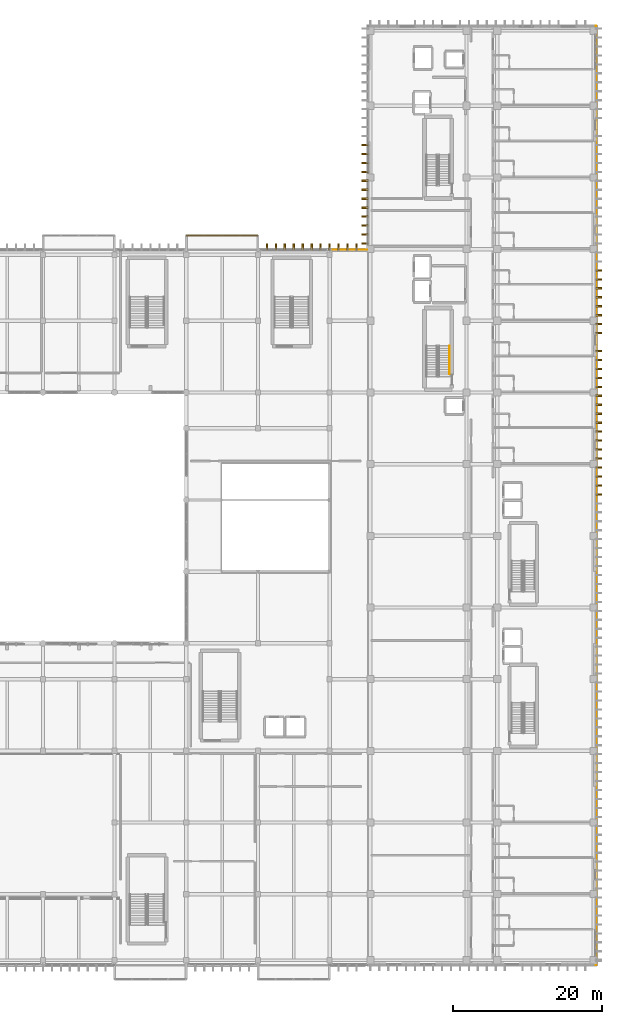
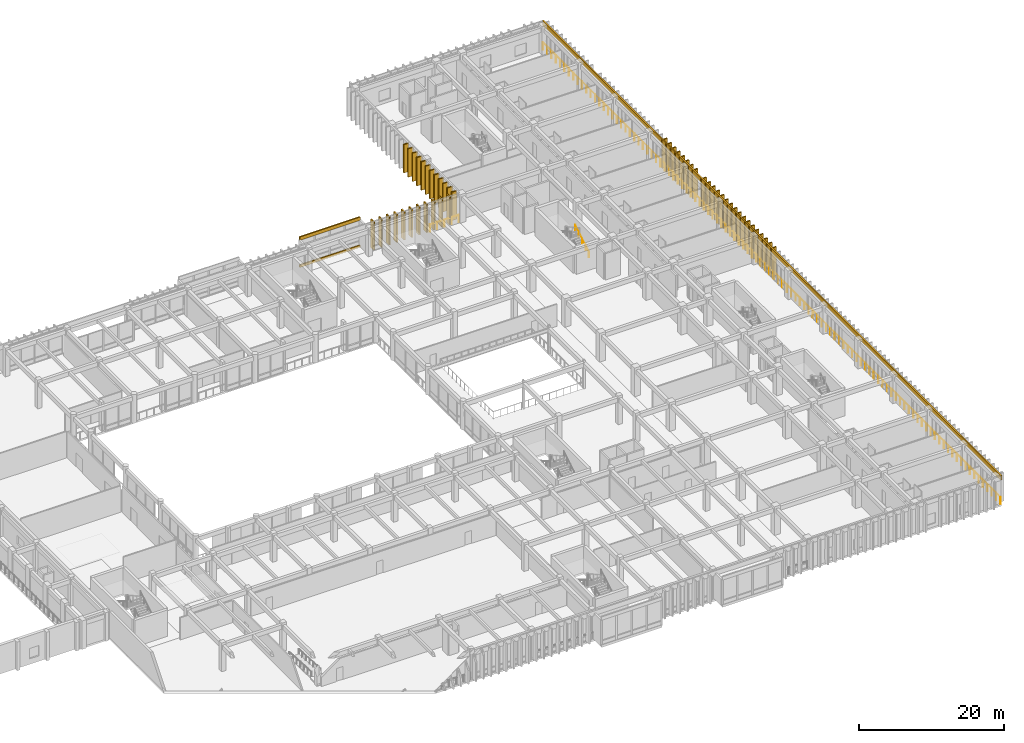
# One storey, part 131 of 133: 51 coverings, 48 shading devices, 3 railings.
"""IFC4 building model written with IfcOpenShell, lengths in metres."""

from ifc_helpers import new_model, si_unit, direction, frame, origin, origin_2d, place, context, subcontext, project, spatial, rectangle, circle, extrude, material, layer, layer_set, type_object, element, save


model = new_model("IFC4")

# Units and contexts
model_context = context("Model", 3, precision=1e-05, world=origin(), true_north=direction((0.0, 1.0)))
body_context = subcontext(model_context, "Body", "Model", "MODEL_VIEW")
ifc_project = project(units=[si_unit("LENGTHUNIT", "METRE"), si_unit("AREAUNIT", "SQUARE_METRE"), si_unit("VOLUMEUNIT", "CUBIC_METRE"), si_unit("PLANEANGLEUNIT", "RADIAN"), si_unit("MASSUNIT", "GRAM", prefix="KILO")], contexts=[model_context])

# Site, building, storey
site_placement = place(None, origin())
site = spatial("IfcSite", under=ifc_project, at=site_placement, CompositionType="ELEMENT")
building_placement = place(site_placement, origin())
building = spatial("IfcBuilding", under=site, at=building_placement, Name="Nakhvara Creek Congress Hotel", CompositionType="ELEMENT")
storey_placement = place(building_placement, frame((0.0, 0.0, 11.39990234375)))
storey = spatial("IfcBuildingStorey", under=building, at=storey_placement, Name="L02", CompositionType="ELEMENT", Elevation=11.39990234375)

# Coverings
ifc_material_1 = material(Name="Honed pale Omani limestone architectural cladding", Category="masonry")
ifc_layer_1 = layer(ifc_material_1, 0.219970703125)
ifc_layer_set_1 = layer_set([ifc_layer_1], Name="Honed pale Omani limestone architectural cladding")
covering_type_1 = type_object("IfcCoveringType", Name="COV-FIN-850", PredefinedType="CLADDING", material=ifc_layer_set_1)
for number, where, z_axis, x_axis, name in (
    (1, (135.60009765625, 96.304931640625, 0.0), (0.0, 0.0, 1.0), (1.0, 0.0, 0.0), "Pale Limestone Fin Cladding CF01-0285"),
    (2, (136.800048828125, 96.304931640625, 0.0), (0.0, 0.0, 1.0), (1.0, 0.0, 0.0), "Pale Limestone Fin Cladding CF01-0286"),
    (3, (138.0, 96.304931640625, 0.0), (0.0, 0.0, 1.0), (1.0, 0.0, 0.0), "Pale Limestone Fin Cladding CF01-0287"),
    (4, (139.199951171875, 96.304931640625, 0.0), (0.0, 0.0, 1.0), (1.0, 0.0, 0.0), "Pale Limestone Fin Cladding CF01-0288"),
    (5, (140.39990234375, 96.304931640625, 0.0), (0.0, 0.0, 1.0), (1.0, 0.0, 0.0), "Pale Limestone Fin Cladding CF01-0289"),
    (6, (141.60009765625, 96.304931640625, 0.0), (0.0, 0.0, 1.0), (1.0, 0.0, 0.0), "Pale Limestone Fin Cladding CF01-0290"),
    (7, (142.800048828125, 96.304931640625, 0.0), (0.0, 0.0, 1.0), (1.0, 0.0, 0.0), "Pale Limestone Fin Cladding CF01-0291"),
    (8, (144.0, 96.304931640625, 0.0), (0.0, 0.0, 1.0), (1.0, 0.0, 0.0), "Pale Limestone Fin Cladding CF01-0292"),
    (9, (145.199951171875, 96.304931640625, 0.0), (0.0, 0.0, 1.0), (1.0, 0.0, 0.0), "Pale Limestone Fin Cladding CF01-0293"),
    (10, (146.39990234375, 96.304931640625, 0.0), (0.0, 0.0, 1.0), (1.0, 0.0, 0.0), "Pale Limestone Fin Cladding CF01-0294"),
    (11, (147.60009765625, 96.304931640625, 0.0), (0.0, 0.0, 1.0), (1.0, 0.0, 0.0), "Pale Limestone Fin Cladding CF01-0295"),
):
    element("IfcCovering", number, at=place(storey_placement, frame(where, z_axis=z_axis, x_axis=x_axis)), inside=storey, type_object=covering_type_1, Name=name, PredefinedType="CLADDING", context=body_context, shape_type="SweptSolid", body=[
        extrude(rectangle(XDim=0.219970703125, YDim=0.85009765625, at=origin_2d()), origin(), (0.0, 0.0, 1.0), 4.719970703125),
    ])
for number, where, z_axis, x_axis, name in (
    (12, (180.054931640625, 63.14990234375, 0.0), (0.0, 0.0, 1.0), (0.0, 1.0, 0.0), "Pale Limestone Fin Cladding CF01-0905"),
    (13, (180.054931640625, 64.35009765625, 0.0), (0.0, 0.0, 1.0), (0.0, 1.0, 0.0), "Pale Limestone Fin Cladding CF01-0906"),
    (14, (180.054931640625, 65.550048828125, 0.0), (0.0, 0.0, 1.0), (0.0, 1.0, 0.0), "Pale Limestone Fin Cladding CF01-0907"),
    (15, (180.054931640625, 66.75, 0.0), (0.0, 0.0, 1.0), (0.0, 1.0, 0.0), "Pale Limestone Fin Cladding CF01-0908"),
    (16, (180.054931640625, 67.949951171875, 0.0), (0.0, 0.0, 1.0), (0.0, 1.0, 0.0), "Pale Limestone Fin Cladding CF01-0909"),
    (17, (180.054931640625, 69.14990234375, 0.0), (0.0, 0.0, 1.0), (0.0, 1.0, 0.0), "Pale Limestone Fin Cladding CF01-0910"),
    (18, (180.054931640625, 70.35009765625, 0.0), (0.0, 0.0, 1.0), (0.0, 1.0, 0.0), "Pale Limestone Fin Cladding CF01-0911"),
    (19, (180.054931640625, 71.550048828125, 0.0), (0.0, 0.0, 1.0), (0.0, 1.0, 0.0), "Pale Limestone Fin Cladding CF01-0912"),
    (20, (180.054931640625, 72.75, 0.0), (0.0, 0.0, 1.0), (0.0, 1.0, 0.0), "Pale Limestone Fin Cladding CF01-0913"),
    (21, (180.054931640625, 73.949951171875, 0.0), (0.0, 0.0, 1.0), (0.0, 1.0, 0.0), "Pale Limestone Fin Cladding CF01-0914"),
    (22, (180.054931640625, 75.14990234375, 0.0), (0.0, 0.0, 1.0), (0.0, 1.0, 0.0), "Pale Limestone Fin Cladding CF01-0915"),
    (23, (180.054931640625, 76.35009765625, 0.0), (0.0, 0.0, 1.0), (0.0, 1.0, 0.0), "Pale Limestone Fin Cladding CF01-0916"),
    (24, (180.054931640625, 77.550048828125, 0.0), (0.0, 0.0, 1.0), (0.0, 1.0, 0.0), "Pale Limestone Fin Cladding CF01-0917"),
    (25, (180.054931640625, 78.75, 0.0), (0.0, 0.0, 1.0), (0.0, 1.0, 0.0), "Pale Limestone Fin Cladding CF01-0918"),
    (26, (180.054931640625, 79.949951171875, 0.0), (0.0, 0.0, 1.0), (0.0, 1.0, 0.0), "Pale Limestone Fin Cladding CF01-0919"),
    (27, (180.054931640625, 81.14990234375, 0.0), (0.0, 0.0, 1.0), (0.0, 1.0, 0.0), "Pale Limestone Fin Cladding CF01-0920"),
    (28, (180.054931640625, 82.35009765625, 0.0), (0.0, 0.0, 1.0), (0.0, 1.0, 0.0), "Pale Limestone Fin Cladding CF01-0921"),
    (29, (180.054931640625, 84.75, 0.0), (0.0, 0.0, 1.0), (0.0, 1.0, 0.0), "Pale Limestone Fin Cladding CF01-0922"),
    (30, (180.054931640625, 85.949951171875, 0.0), (0.0, 0.0, 1.0), (0.0, 1.0, 0.0), "Pale Limestone Fin Cladding CF01-0923"),
    (31, (180.054931640625, 87.14990234375, 0.0), (0.0, 0.0, 1.0), (0.0, 1.0, 0.0), "Pale Limestone Fin Cladding CF01-0924"),
    (32, (180.054931640625, 88.35009765625, 0.0), (0.0, 0.0, 1.0), (0.0, 1.0, 0.0), "Pale Limestone Fin Cladding CF01-0925"),
    (33, (180.054931640625, 89.550048828125, 0.0), (0.0, 0.0, 1.0), (0.0, 1.0, 0.0), "Pale Limestone Fin Cladding CF01-0926"),
    (34, (180.054931640625, 90.75, 0.0), (0.0, 0.0, 1.0), (0.0, 1.0, 0.0), "Pale Limestone Fin Cladding CF01-0927"),
    (35, (180.054931640625, 91.949951171875, 0.0), (0.0, 0.0, 1.0), (0.0, 1.0, 0.0), "Pale Limestone Fin Cladding CF01-0928"),
    (36, (180.054931640625, 93.14990234375, 0.0), (0.0, 0.0, 1.0), (0.0, 1.0, 0.0), "Pale Limestone Fin Cladding CF01-0929"),
    (37, (148.7451171875, 96.75, 0.0), (0.0, 0.0, 1.0), (0.0, 1.0, 0.0), "Pale Limestone Fin Cladding CF01-0933"),
    (38, (148.7451171875, 97.949951171875, 0.0), (0.0, 0.0, 1.0), (0.0, 1.0, 0.0), "Pale Limestone Fin Cladding CF01-0935"),
    (39, (148.7451171875, 99.14990234375, 0.0), (0.0, 0.0, 1.0), (0.0, 1.0, 0.0), "Pale Limestone Fin Cladding CF01-0937"),
    (40, (148.7451171875, 100.35009765625, 0.0), (0.0, 0.0, 1.0), (0.0, 1.0, 0.0), "Pale Limestone Fin Cladding CF01-0939"),
    (41, (148.7451171875, 101.550048828125, 0.0), (0.0, 0.0, 1.0), (0.0, 1.0, 0.0), "Pale Limestone Fin Cladding CF01-0941"),
    (42, (148.7451171875, 102.75, 0.0), (0.0, 0.0, 1.0), (0.0, 1.0, 0.0), "Pale Limestone Fin Cladding CF01-0943"),
    (43, (148.7451171875, 103.949951171875, 0.0), (0.0, 0.0, 1.0), (0.0, 1.0, 0.0), "Pale Limestone Fin Cladding CF01-0945"),
    (44, (148.7451171875, 105.14990234375, 0.0), (0.0, 0.0, 1.0), (0.0, 1.0, 0.0), "Pale Limestone Fin Cladding CF01-0947"),
    (45, (148.7451171875, 106.35009765625, 0.0), (0.0, 0.0, 1.0), (0.0, 1.0, 0.0), "Pale Limestone Fin Cladding CF01-0949"),
    (46, (148.7451171875, 107.550048828125, 0.0), (0.0, 0.0, 1.0), (0.0, 1.0, 0.0), "Pale Limestone Fin Cladding CF01-0951"),
    (47, (148.7451171875, 108.75, 0.0), (0.0, 0.0, 1.0), (0.0, 1.0, 0.0), "Pale Limestone Fin Cladding CF01-0953"),
    (48, (148.7451171875, 109.949951171875, 0.0), (0.0, 0.0, 1.0), (0.0, 1.0, 0.0), "Pale Limestone Fin Cladding CF01-0955"),
):
    element("IfcCovering", number, at=place(storey_placement, frame(where, z_axis=z_axis, x_axis=x_axis)), inside=storey, type_object=covering_type_1, Name=name, PredefinedType="CLADDING", context=body_context, shape_type="SweptSolid", body=[
        extrude(rectangle(XDim=0.219970703125, YDim=0.85009765625, at=origin_2d()), origin(), (0.0, 0.0, 1.0), 4.760009765625),
    ])
ifc_layer_2 = layer(ifc_material_1, 0.179931640625)
ifc_layer_set_2 = layer_set([ifc_layer_2], Name="Honed pale Omani limestone architectural cladding")
covering_type_2 = type_object("IfcCoveringType", Name="COV-SPN-180", PredefinedType="CLADDING", material=ifc_layer_set_2)
covering_1_placement = place(storey_placement, frame((129.60009765625, 97.800048828125, -0.259765625), z_axis=(0.0, 0.0, 1.0), x_axis=(1.0, 0.0, 0.0)))
element("IfcCovering", 49, at=covering_1_placement, inside=storey, type_object=covering_type_2, Name="Pale Limestone Spandrel Band CF02-0024", PredefinedType="CLADDING", context=body_context, shape_type="SweptSolid", body=[
    extrude(rectangle(XDim=9.60009765625, YDim=0.199951171875, at=origin_2d()), origin(), (0.0, 0.0, 1.0), 0.419921875),
])
covering_2_placement = place(storey_placement, frame((129.60009765625, 97.800048828125, 4.300048828125), z_axis=(0.0, 0.0, 1.0), x_axis=(1.0, 0.0, 0.0)))
element("IfcCovering", 50, at=covering_2_placement, inside=storey, type_object=covering_type_2, Name="Pale Limestone Spandrel Band CF02-0025", PredefinedType="CLADDING", context=body_context, shape_type="SweptSolid", body=[
    extrude(rectangle(XDim=9.60009765625, YDim=0.199951171875, at=origin_2d()), origin(), (0.0, 0.0, 1.0), 0.56005859375),
])
covering_3_placement = place(storey_placement, frame((179.739990234375, 63.0, 4.110107421875), z_axis=(0.0, 0.0, 1.0), x_axis=(0.0, 1.0, 0.0)))
element("IfcCovering", 51, at=covering_3_placement, inside=storey, type_object=covering_type_2, Name="Pale Limestone Spandrel Band CF02-0049", PredefinedType="CLADDING", context=body_context, shape_type="SweptSolid", body=[
    extrude(rectangle(XDim=126.0, YDim=0.219970703125, at=origin_2d()), origin(), (0.0, 0.0, 1.0), 0.72998046875),
])

# Railings
ifc_material_2 = material(Name="Brushed stainless steel 316L", Category="steel")
railing_type_1 = type_object("IfcRailingType", Name="RL-GUARD-1200", PredefinedType="GUARDRAIL", material=ifc_material_2)
railing_1_placement = place(storey_placement, frame((144.449951171875, 95.919921875, 0.0)))
element("IfcRailing", 52, at=railing_1_placement, inside=storey, type_object=railing_type_1, Name="North Conference Edge Guard L02-144", PredefinedType="GUARDRAIL", context=body_context, shape_type="SweptSolid", body=[
    extrude(circle(Radius=0.02392578125, at=origin_2d()), frame((0.0146484375, 0.0, 1.17578125), z_axis=(1.0, 0.0, 0.0), x_axis=(0.0, 1.0, 0.0)), (0.0, 0.0, 1.0), 4.5107421875),
    extrude(circle(Radius=0.02099609375, at=origin_2d()), origin(), (0.0, 0.0, 1.0), 1.1806640625),
    extrude(circle(Radius=0.02099609375, at=origin_2d()), frame((1.135009765625, 0.0, 0.0)), (0.0, 0.0, 1.0), 1.1806640625),
    extrude(circle(Radius=0.02099609375, at=origin_2d()), frame((2.27001953125, 0.0, 0.0)), (0.0, 0.0, 1.0), 1.1806640625),
    extrude(circle(Radius=0.02099609375, at=origin_2d()), frame((3.405029296875, 0.0, 0.0)), (0.0, 0.0, 1.0), 1.1806640625),
    extrude(circle(Radius=0.02099609375, at=origin_2d()), frame((4.5400390625, 0.0, 0.0)), (0.0, 0.0, 1.0), 1.1806640625),
])
railing_2_placement = place(storey_placement, frame((179.669921875, 0.080078125, 0.0)))
element("IfcRailing", 53, at=railing_2_placement, inside=storey, type_object=railing_type_1, Name="Perimeter Safety Rail East L02", PredefinedType="GUARDRAIL", context=body_context, shape_type="SweptSolid", body=[
    extrude(circle(Radius=0.02392578125, at=origin_2d()), frame((0.0, 0.0146484375, 1.17578125), z_axis=(0.0, 1.0, 0.0), x_axis=(-1.0, 0.0, 0.0)), (0.0, 0.0, 1.0), 125.810546875),
    extrude(circle(Radius=0.02099609375, at=origin_2d()), origin(), (0.0, 0.0, 1.0), 1.1806640625),
    extrude(circle(Radius=0.02099609375, at=origin_2d()), frame((0.0, 1.198486328125, 0.0)), (0.0, 0.0, 1.0), 1.1806640625),
    extrude(circle(Radius=0.02099609375, at=origin_2d()), frame((0.0, 2.39697265625, 0.0)), (0.0, 0.0, 1.0), 1.1806640625),
    extrude(circle(Radius=0.02099609375, at=origin_2d()), frame((0.0, 3.595458984375, 0.0)), (0.0, 0.0, 1.0), 1.1806640625),
    extrude(circle(Radius=0.02099609375, at=origin_2d()), frame((0.0, 4.7939453125, 0.0)), (0.0, 0.0, 1.0), 1.1806640625),
    extrude(circle(Radius=0.02099609375, at=origin_2d()), frame((0.0, 5.992431640625, 0.0)), (0.0, 0.0, 1.0), 1.1806640625),
    extrude(circle(Radius=0.02099609375, at=origin_2d()), frame((0.0, 7.19091796875, 0.0)), (0.0, 0.0, 1.0), 1.1806640625),
    extrude(circle(Radius=0.02099609375, at=origin_2d()), frame((0.0, 8.389404296875, 0.0)), (0.0, 0.0, 1.0), 1.1806640625),
    extrude(circle(Radius=0.02099609375, at=origin_2d()), frame((0.0, 9.587890625, 0.0)), (0.0, 0.0, 1.0), 1.1806640625),
    extrude(circle(Radius=0.02099609375, at=origin_2d()), frame((0.0, 10.786376953125, 0.0)), (0.0, 0.0, 1.0), 1.1806640625),
    extrude(circle(Radius=0.02099609375, at=origin_2d()), frame((0.0, 11.98486328125, 0.0)), (0.0, 0.0, 1.0), 1.1806640625),
    extrude(circle(Radius=0.02099609375, at=origin_2d()), frame((0.0, 13.18310546875, 0.0)), (0.0, 0.0, 1.0), 1.1806640625),
    extrude(circle(Radius=0.02099609375, at=origin_2d()), frame((0.0, 14.381591796875, 0.0)), (0.0, 0.0, 1.0), 1.1806640625),
    extrude(circle(Radius=0.02099609375, at=origin_2d()), frame((0.0, 15.580078125, 0.0)), (0.0, 0.0, 1.0), 1.1806640625),
    extrude(circle(Radius=0.02099609375, at=origin_2d()), frame((0.0, 16.778564453125, 0.0)), (0.0, 0.0, 1.0), 1.1806640625),
    extrude(circle(Radius=0.02099609375, at=origin_2d()), frame((0.0, 17.97705078125, 0.0)), (0.0, 0.0, 1.0), 1.1806640625),
    extrude(circle(Radius=0.02099609375, at=origin_2d()), frame((0.0, 19.175537109375, 0.0)), (0.0, 0.0, 1.0), 1.1806640625),
    extrude(circle(Radius=0.02099609375, at=origin_2d()), frame((0.0, 20.3740234375, 0.0)), (0.0, 0.0, 1.0), 1.1806640625),
    extrude(circle(Radius=0.02099609375, at=origin_2d()), frame((0.0, 21.572509765625, 0.0)), (0.0, 0.0, 1.0), 1.1806640625),
    extrude(circle(Radius=0.02099609375, at=origin_2d()), frame((0.0, 22.77099609375, 0.0)), (0.0, 0.0, 1.0), 1.1806640625),
    extrude(circle(Radius=0.02099609375, at=origin_2d()), frame((0.0, 23.969482421875, 0.0)), (0.0, 0.0, 1.0), 1.1806640625),
    extrude(circle(Radius=0.02099609375, at=origin_2d()), frame((0.0, 25.16796875, 0.0)), (0.0, 0.0, 1.0), 1.1806640625),
    extrude(circle(Radius=0.02099609375, at=origin_2d()), frame((0.0, 26.366455078125, 0.0)), (0.0, 0.0, 1.0), 1.1806640625),
    extrude(circle(Radius=0.02099609375, at=origin_2d()), frame((0.0, 27.56494140625, 0.0)), (0.0, 0.0, 1.0), 1.1806640625),
    extrude(circle(Radius=0.02099609375, at=origin_2d()), frame((0.0, 28.763427734375, 0.0)), (0.0, 0.0, 1.0), 1.1806640625),
    extrude(circle(Radius=0.02099609375, at=origin_2d()), frame((0.0, 29.9619140625, 0.0)), (0.0, 0.0, 1.0), 1.1806640625),
    extrude(circle(Radius=0.02099609375, at=origin_2d()), frame((0.0, 31.160400390625, 0.0)), (0.0, 0.0, 1.0), 1.1806640625),
    extrude(circle(Radius=0.02099609375, at=origin_2d()), frame((0.0, 32.35888671875, 0.0)), (0.0, 0.0, 1.0), 1.1806640625),
    extrude(circle(Radius=0.02099609375, at=origin_2d()), frame((0.0, 33.557373046875, 0.0)), (0.0, 0.0, 1.0), 1.1806640625),
    extrude(circle(Radius=0.02099609375, at=origin_2d()), frame((0.0, 34.755859375, 0.0)), (0.0, 0.0, 1.0), 1.1806640625),
    extrude(circle(Radius=0.02099609375, at=origin_2d()), frame((0.0, 35.954345703125, 0.0)), (0.0, 0.0, 1.0), 1.1806640625),
    extrude(circle(Radius=0.02099609375, at=origin_2d()), frame((0.0, 37.15283203125, 0.0)), (0.0, 0.0, 1.0), 1.1806640625),
    extrude(circle(Radius=0.02099609375, at=origin_2d()), frame((0.0, 38.35107421875, 0.0)), (0.0, 0.0, 1.0), 1.1806640625),
    extrude(circle(Radius=0.02099609375, at=origin_2d()), frame((0.0, 39.549560546875, 0.0)), (0.0, 0.0, 1.0), 1.1806640625),
    extrude(circle(Radius=0.02099609375, at=origin_2d()), frame((0.0, 40.748046875, 0.0)), (0.0, 0.0, 1.0), 1.1806640625),
    extrude(circle(Radius=0.02099609375, at=origin_2d()), frame((0.0, 41.946533203125, 0.0)), (0.0, 0.0, 1.0), 1.1806640625),
    extrude(circle(Radius=0.02099609375, at=origin_2d()), frame((0.0, 43.14501953125, 0.0)), (0.0, 0.0, 1.0), 1.1806640625),
    extrude(circle(Radius=0.02099609375, at=origin_2d()), frame((0.0, 44.343505859375, 0.0)), (0.0, 0.0, 1.0), 1.1806640625),
    extrude(circle(Radius=0.02099609375, at=origin_2d()), frame((0.0, 45.5419921875, 0.0)), (0.0, 0.0, 1.0), 1.1806640625),
    extrude(circle(Radius=0.02099609375, at=origin_2d()), frame((0.0, 46.740478515625, 0.0)), (0.0, 0.0, 1.0), 1.1806640625),
    extrude(circle(Radius=0.02099609375, at=origin_2d()), frame((0.0, 47.93896484375, 0.0)), (0.0, 0.0, 1.0), 1.1806640625),
    extrude(circle(Radius=0.02099609375, at=origin_2d()), frame((0.0, 49.137451171875, 0.0)), (0.0, 0.0, 1.0), 1.1806640625),
    extrude(circle(Radius=0.02099609375, at=origin_2d()), frame((0.0, 50.3359375, 0.0)), (0.0, 0.0, 1.0), 1.1806640625),
    extrude(circle(Radius=0.02099609375, at=origin_2d()), frame((0.0, 51.534423828125, 0.0)), (0.0, 0.0, 1.0), 1.1806640625),
    extrude(circle(Radius=0.02099609375, at=origin_2d()), frame((0.0, 52.73291015625, 0.0)), (0.0, 0.0, 1.0), 1.1806640625),
    extrude(circle(Radius=0.02099609375, at=origin_2d()), frame((0.0, 53.931396484375, 0.0)), (0.0, 0.0, 1.0), 1.1806640625),
    extrude(circle(Radius=0.02099609375, at=origin_2d()), frame((0.0, 55.1298828125, 0.0)), (0.0, 0.0, 1.0), 1.1806640625),
    extrude(circle(Radius=0.02099609375, at=origin_2d()), frame((0.0, 56.328369140625, 0.0)), (0.0, 0.0, 1.0), 1.1806640625),
    extrude(circle(Radius=0.02099609375, at=origin_2d()), frame((0.0, 57.52685546875, 0.0)), (0.0, 0.0, 1.0), 1.1806640625),
    extrude(circle(Radius=0.02099609375, at=origin_2d()), frame((0.0, 58.725341796875, 0.0)), (0.0, 0.0, 1.0), 1.1806640625),
    extrude(circle(Radius=0.02099609375, at=origin_2d()), frame((0.0, 59.923828125, 0.0)), (0.0, 0.0, 1.0), 1.1806640625),
    extrude(circle(Radius=0.02099609375, at=origin_2d()), frame((0.0, 61.122314453125, 0.0)), (0.0, 0.0, 1.0), 1.1806640625),
    extrude(circle(Radius=0.02099609375, at=origin_2d()), frame((0.0, 62.32080078125, 0.0)), (0.0, 0.0, 1.0), 1.1806640625),
    extrude(circle(Radius=0.02099609375, at=origin_2d()), frame((0.0, 63.51904296875, 0.0)), (0.0, 0.0, 1.0), 1.1806640625),
    extrude(circle(Radius=0.02099609375, at=origin_2d()), frame((0.0, 64.717529296875, 0.0)), (0.0, 0.0, 1.0), 1.1806640625),
    extrude(circle(Radius=0.02099609375, at=origin_2d()), frame((0.0, 65.916015625, 0.0)), (0.0, 0.0, 1.0), 1.1806640625),
    extrude(circle(Radius=0.02099609375, at=origin_2d()), frame((0.0, 67.114501953125, 0.0)), (0.0, 0.0, 1.0), 1.1806640625),
    extrude(circle(Radius=0.02099609375, at=origin_2d()), frame((0.0, 68.31298828125, 0.0)), (0.0, 0.0, 1.0), 1.1806640625),
    extrude(circle(Radius=0.02099609375, at=origin_2d()), frame((0.0, 69.511474609375, 0.0)), (0.0, 0.0, 1.0), 1.1806640625),
    extrude(circle(Radius=0.02099609375, at=origin_2d()), frame((0.0, 70.7099609375, 0.0)), (0.0, 0.0, 1.0), 1.1806640625),
    extrude(circle(Radius=0.02099609375, at=origin_2d()), frame((0.0, 71.908447265625, 0.0)), (0.0, 0.0, 1.0), 1.1806640625),
    extrude(circle(Radius=0.02099609375, at=origin_2d()), frame((0.0, 73.10693359375, 0.0)), (0.0, 0.0, 1.0), 1.1806640625),
    extrude(circle(Radius=0.02099609375, at=origin_2d()), frame((0.0, 74.305419921875, 0.0)), (0.0, 0.0, 1.0), 1.1806640625),
    extrude(circle(Radius=0.02099609375, at=origin_2d()), frame((0.0, 75.50390625, 0.0)), (0.0, 0.0, 1.0), 1.1806640625),
    extrude(circle(Radius=0.02099609375, at=origin_2d()), frame((0.0, 76.702392578125, 0.0)), (0.0, 0.0, 1.0), 1.1806640625),
    extrude(circle(Radius=0.02099609375, at=origin_2d()), frame((0.0, 77.90087890625, 0.0)), (0.0, 0.0, 1.0), 1.1806640625),
    extrude(circle(Radius=0.02099609375, at=origin_2d()), frame((0.0, 79.099365234375, 0.0)), (0.0, 0.0, 1.0), 1.1806640625),
    extrude(circle(Radius=0.02099609375, at=origin_2d()), frame((0.0, 80.2978515625, 0.0)), (0.0, 0.0, 1.0), 1.1806640625),
    extrude(circle(Radius=0.02099609375, at=origin_2d()), frame((0.0, 81.496337890625, 0.0)), (0.0, 0.0, 1.0), 1.1806640625),
    extrude(circle(Radius=0.02099609375, at=origin_2d()), frame((0.0, 82.69482421875, 0.0)), (0.0, 0.0, 1.0), 1.1806640625),
    extrude(circle(Radius=0.02099609375, at=origin_2d()), frame((0.0, 83.893310546875, 0.0)), (0.0, 0.0, 1.0), 1.1806640625),
    extrude(circle(Radius=0.02099609375, at=origin_2d()), frame((0.0, 85.091796875, 0.0)), (0.0, 0.0, 1.0), 1.1806640625),
    extrude(circle(Radius=0.02099609375, at=origin_2d()), frame((0.0, 86.290283203125, 0.0)), (0.0, 0.0, 1.0), 1.1806640625),
    extrude(circle(Radius=0.02099609375, at=origin_2d()), frame((0.0, 87.48876953125, 0.0)), (0.0, 0.0, 1.0), 1.1806640625),
    extrude(circle(Radius=0.02099609375, at=origin_2d()), frame((0.0, 88.68701171875, 0.0)), (0.0, 0.0, 1.0), 1.1806640625),
    extrude(circle(Radius=0.02099609375, at=origin_2d()), frame((0.0, 89.885498046875, 0.0)), (0.0, 0.0, 1.0), 1.1806640625),
    extrude(circle(Radius=0.02099609375, at=origin_2d()), frame((0.0, 91.083984375, 0.0)), (0.0, 0.0, 1.0), 1.1806640625),
    extrude(circle(Radius=0.02099609375, at=origin_2d()), frame((0.0, 92.282470703125, 0.0)), (0.0, 0.0, 1.0), 1.1806640625),
    extrude(circle(Radius=0.02099609375, at=origin_2d()), frame((0.0, 93.48095703125, 0.0)), (0.0, 0.0, 1.0), 1.1806640625),
    extrude(circle(Radius=0.02099609375, at=origin_2d()), frame((0.0, 94.679443359375, 0.0)), (0.0, 0.0, 1.0), 1.1806640625),
    extrude(circle(Radius=0.02099609375, at=origin_2d()), frame((0.0, 95.8779296875, 0.0)), (0.0, 0.0, 1.0), 1.1806640625),
    extrude(circle(Radius=0.02099609375, at=origin_2d()), frame((0.0, 97.076416015625, 0.0)), (0.0, 0.0, 1.0), 1.1806640625),
    extrude(circle(Radius=0.02099609375, at=origin_2d()), frame((0.0, 98.27490234375, 0.0)), (0.0, 0.0, 1.0), 1.1806640625),
    extrude(circle(Radius=0.02099609375, at=origin_2d()), frame((0.0, 99.473388671875, 0.0)), (0.0, 0.0, 1.0), 1.1806640625),
    extrude(circle(Radius=0.02099609375, at=origin_2d()), frame((0.0, 100.671875, 0.0)), (0.0, 0.0, 1.0), 1.1806640625),
    extrude(circle(Radius=0.02099609375, at=origin_2d()), frame((0.0, 101.870361328125, 0.0)), (0.0, 0.0, 1.0), 1.1806640625),
    extrude(circle(Radius=0.02099609375, at=origin_2d()), frame((0.0, 103.06884765625, 0.0)), (0.0, 0.0, 1.0), 1.1806640625),
    extrude(circle(Radius=0.02099609375, at=origin_2d()), frame((0.0, 104.267333984375, 0.0)), (0.0, 0.0, 1.0), 1.1806640625),
    extrude(circle(Radius=0.02099609375, at=origin_2d()), frame((0.0, 105.4658203125, 0.0)), (0.0, 0.0, 1.0), 1.1806640625),
    extrude(circle(Radius=0.02099609375, at=origin_2d()), frame((0.0, 106.664306640625, 0.0)), (0.0, 0.0, 1.0), 1.1806640625),
    extrude(circle(Radius=0.02099609375, at=origin_2d()), frame((0.0, 107.86279296875, 0.0)), (0.0, 0.0, 1.0), 1.1806640625),
    extrude(circle(Radius=0.02099609375, at=origin_2d()), frame((0.0, 109.061279296875, 0.0)), (0.0, 0.0, 1.0), 1.1806640625),
    extrude(circle(Radius=0.02099609375, at=origin_2d()), frame((0.0, 110.259765625, 0.0)), (0.0, 0.0, 1.0), 1.1806640625),
    extrude(circle(Radius=0.02099609375, at=origin_2d()), frame((0.0, 111.458251953125, 0.0)), (0.0, 0.0, 1.0), 1.1806640625),
    extrude(circle(Radius=0.02099609375, at=origin_2d()), frame((0.0, 112.65673828125, 0.0)), (0.0, 0.0, 1.0), 1.1806640625),
    extrude(circle(Radius=0.02099609375, at=origin_2d()), frame((0.0, 113.85498046875, 0.0)), (0.0, 0.0, 1.0), 1.1806640625),
    extrude(circle(Radius=0.02099609375, at=origin_2d()), frame((0.0, 115.053466796875, 0.0)), (0.0, 0.0, 1.0), 1.1806640625),
    extrude(circle(Radius=0.02099609375, at=origin_2d()), frame((0.0, 116.251953125, 0.0)), (0.0, 0.0, 1.0), 1.1806640625),
    extrude(circle(Radius=0.02099609375, at=origin_2d()), frame((0.0, 117.450439453125, 0.0)), (0.0, 0.0, 1.0), 1.1806640625),
    extrude(circle(Radius=0.02099609375, at=origin_2d()), frame((0.0, 118.64892578125, 0.0)), (0.0, 0.0, 1.0), 1.1806640625),
    extrude(circle(Radius=0.02099609375, at=origin_2d()), frame((0.0, 119.847412109375, 0.0)), (0.0, 0.0, 1.0), 1.1806640625),
    extrude(circle(Radius=0.02099609375, at=origin_2d()), frame((0.0, 121.0458984375, 0.0)), (0.0, 0.0, 1.0), 1.1806640625),
    extrude(circle(Radius=0.02099609375, at=origin_2d()), frame((0.0, 122.244384765625, 0.0)), (0.0, 0.0, 1.0), 1.1806640625),
    extrude(circle(Radius=0.02099609375, at=origin_2d()), frame((0.0, 123.44287109375, 0.0)), (0.0, 0.0, 1.0), 1.1806640625),
    extrude(circle(Radius=0.02099609375, at=origin_2d()), frame((0.0, 124.641357421875, 0.0)), (0.0, 0.0, 1.0), 1.1806640625),
    extrude(circle(Radius=0.02099609375, at=origin_2d()), frame((0.0, 125.83984375, 0.0)), (0.0, 0.0, 1.0), 1.1806640625),
])
railing_type_2 = type_object("IfcRailingType", Name="RL-HAND-900", PredefinedType="HANDRAIL", material=ifc_material_2)
railing_3_placement = place(storey_placement, frame((160.074951171875, 79.2548828125, 0.343017578125)))
element("IfcRailing", 54, at=railing_3_placement, inside=storey, type_object=railing_type_2, Name="L02 ST01 stair handrail 1", PredefinedType="HANDRAIL", context=body_context, shape_type="SweptSolid", body=[
    extrude(circle(Radius=0.02392578125, at=origin_2d()), frame((0.0, 0.0126953125, 0.88330078125), z_axis=(0.0, 0.860342978037, 0.509715567883), x_axis=(-1.0, 0.0, 0.0)), (0.0, 0.0, 1.0), 4.3642578125),
    extrude(circle(Radius=0.02099609375, at=origin_2d()), origin(), (0.0, 0.0, 1.0), 0.880615234375),
    extrude(circle(Radius=0.02099609375, at=origin_2d()), frame((0.0, 0.945068359375, 0.559814453125)), (0.0, 0.0, 1.0), 0.880615234375),
    extrude(circle(Radius=0.02099609375, at=origin_2d()), frame((0.0, 1.89013671875, 1.11962890625)), (0.0, 0.0, 1.0), 0.880615234375),
    extrude(circle(Radius=0.02099609375, at=origin_2d()), frame((0.0, 2.8349609375, 1.6796875)), (0.0, 0.0, 1.0), 0.880615234375),
    extrude(circle(Radius=0.02099609375, at=origin_2d()), frame((0.0, 3.780029296875, 2.239501953125)), (0.0, 0.0, 1.0), 0.880615234375),
])

# Shading devices
ifc_material_3 = material(Name="Honed pale Omani limestone cladding on stainless steel spine", Category="masonry")
shading_device_type = type_object("IfcShadingDeviceType", Name="SHD-FIN-850X4700", PredefinedType="USERDEFINED", material=ifc_material_3)
for number, where, z_axis, x_axis, name in (
    (55, (135.60009765625, 96.304931640625, 0.0), (0.0, 0.0, 1.0), (1.0, 0.0, 0.0), "Limestone Solar Fin FN02-0285"),
    (56, (136.800048828125, 96.304931640625, 0.0), (0.0, 0.0, 1.0), (1.0, 0.0, 0.0), "Limestone Solar Fin FN02-0286"),
    (57, (138.0, 96.304931640625, 0.0), (0.0, 0.0, 1.0), (1.0, 0.0, 0.0), "Limestone Solar Fin FN02-0287"),
    (58, (139.199951171875, 96.304931640625, 0.0), (0.0, 0.0, 1.0), (1.0, 0.0, 0.0), "Limestone Solar Fin FN02-0288"),
    (59, (140.39990234375, 96.304931640625, 0.0), (0.0, 0.0, 1.0), (1.0, 0.0, 0.0), "Limestone Solar Fin FN02-0289"),
    (60, (141.60009765625, 96.304931640625, 0.0), (0.0, 0.0, 1.0), (1.0, 0.0, 0.0), "Limestone Solar Fin FN02-0290"),
    (61, (142.800048828125, 96.304931640625, 0.0), (0.0, 0.0, 1.0), (1.0, 0.0, 0.0), "Limestone Solar Fin FN02-0291"),
    (62, (144.0, 96.304931640625, 0.0), (0.0, 0.0, 1.0), (1.0, 0.0, 0.0), "Limestone Solar Fin FN02-0292"),
    (63, (145.199951171875, 96.304931640625, 0.0), (0.0, 0.0, 1.0), (1.0, 0.0, 0.0), "Limestone Solar Fin FN02-0293"),
    (64, (146.39990234375, 96.304931640625, 0.0), (0.0, 0.0, 1.0), (1.0, 0.0, 0.0), "Limestone Solar Fin FN02-0294"),
    (65, (147.60009765625, 96.304931640625, 0.0), (0.0, 0.0, 1.0), (1.0, 0.0, 0.0), "Limestone Solar Fin FN02-0295"),
):
    element("IfcShadingDevice", number, at=place(storey_placement, frame(where, z_axis=z_axis, x_axis=x_axis)), inside=storey, type_object=shading_device_type, Name=name, ObjectType="FIN", PredefinedType="USERDEFINED", context=body_context, shape_type="SweptSolid", body=[
        extrude(rectangle(XDim=0.199951171875, YDim=0.85009765625, at=origin_2d()), origin(), (0.0, 0.0, 1.0), 4.719970703125),
    ])
for number, where, z_axis, x_axis, name in (
    (66, (180.054931640625, 63.14990234375, 0.0), (0.0, 0.0, 1.0), (0.0, 1.0, 0.0), "Limestone Solar Fin FN02-0770"),
    (67, (180.054931640625, 64.35009765625, 0.0), (0.0, 0.0, 1.0), (0.0, 1.0, 0.0), "Limestone Solar Fin FN02-0771"),
    (68, (180.054931640625, 65.550048828125, 0.0), (0.0, 0.0, 1.0), (0.0, 1.0, 0.0), "Limestone Solar Fin FN02-0772"),
    (69, (180.054931640625, 66.75, 0.0), (0.0, 0.0, 1.0), (0.0, 1.0, 0.0), "Limestone Solar Fin FN02-0773"),
    (70, (180.054931640625, 67.949951171875, 0.0), (0.0, 0.0, 1.0), (0.0, 1.0, 0.0), "Limestone Solar Fin FN02-0774"),
    (71, (180.054931640625, 69.14990234375, 0.0), (0.0, 0.0, 1.0), (0.0, 1.0, 0.0), "Limestone Solar Fin FN02-0775"),
    (72, (180.054931640625, 70.35009765625, 0.0), (0.0, 0.0, 1.0), (0.0, 1.0, 0.0), "Limestone Solar Fin FN02-0776"),
    (73, (180.054931640625, 71.550048828125, 0.0), (0.0, 0.0, 1.0), (0.0, 1.0, 0.0), "Limestone Solar Fin FN02-0777"),
    (74, (180.054931640625, 72.75, 0.0), (0.0, 0.0, 1.0), (0.0, 1.0, 0.0), "Limestone Solar Fin FN02-0778"),
    (75, (180.054931640625, 73.949951171875, 0.0), (0.0, 0.0, 1.0), (0.0, 1.0, 0.0), "Limestone Solar Fin FN02-0779"),
    (76, (180.054931640625, 75.14990234375, 0.0), (0.0, 0.0, 1.0), (0.0, 1.0, 0.0), "Limestone Solar Fin FN02-0780"),
    (77, (180.054931640625, 76.35009765625, 0.0), (0.0, 0.0, 1.0), (0.0, 1.0, 0.0), "Limestone Solar Fin FN02-0781"),
    (78, (180.054931640625, 77.550048828125, 0.0), (0.0, 0.0, 1.0), (0.0, 1.0, 0.0), "Limestone Solar Fin FN02-0782"),
    (79, (180.054931640625, 78.75, 0.0), (0.0, 0.0, 1.0), (0.0, 1.0, 0.0), "Limestone Solar Fin FN02-0783"),
    (80, (180.054931640625, 79.949951171875, 0.0), (0.0, 0.0, 1.0), (0.0, 1.0, 0.0), "Limestone Solar Fin FN02-0784"),
    (81, (180.054931640625, 81.14990234375, 0.0), (0.0, 0.0, 1.0), (0.0, 1.0, 0.0), "Limestone Solar Fin FN02-0785"),
    (82, (180.054931640625, 82.35009765625, 0.0), (0.0, 0.0, 1.0), (0.0, 1.0, 0.0), "Limestone Solar Fin FN02-0786"),
    (83, (180.054931640625, 84.75, 0.0), (0.0, 0.0, 1.0), (0.0, 1.0, 0.0), "Limestone Solar Fin FN02-0787"),
    (84, (180.054931640625, 85.949951171875, 0.0), (0.0, 0.0, 1.0), (0.0, 1.0, 0.0), "Limestone Solar Fin FN02-0788"),
    (85, (180.054931640625, 87.14990234375, 0.0), (0.0, 0.0, 1.0), (0.0, 1.0, 0.0), "Limestone Solar Fin FN02-0789"),
    (86, (180.054931640625, 88.35009765625, 0.0), (0.0, 0.0, 1.0), (0.0, 1.0, 0.0), "Limestone Solar Fin FN02-0790"),
    (87, (180.054931640625, 89.550048828125, 0.0), (0.0, 0.0, 1.0), (0.0, 1.0, 0.0), "Limestone Solar Fin FN02-0791"),
    (88, (180.054931640625, 90.75, 0.0), (0.0, 0.0, 1.0), (0.0, 1.0, 0.0), "Limestone Solar Fin FN02-0792"),
    (89, (180.054931640625, 91.949951171875, 0.0), (0.0, 0.0, 1.0), (0.0, 1.0, 0.0), "Limestone Solar Fin FN02-0793"),
    (90, (180.054931640625, 93.14990234375, 0.0), (0.0, 0.0, 1.0), (0.0, 1.0, 0.0), "Limestone Solar Fin FN02-0794"),
    (91, (148.7451171875, 96.75, 0.0), (0.0, 0.0, 1.0), (0.0, 1.0, 0.0), "Limestone Solar Fin FN02-0798"),
    (92, (148.7451171875, 97.949951171875, 0.0), (0.0, 0.0, 1.0), (0.0, 1.0, 0.0), "Limestone Solar Fin FN02-0800"),
    (93, (148.7451171875, 99.14990234375, 0.0), (0.0, 0.0, 1.0), (0.0, 1.0, 0.0), "Limestone Solar Fin FN02-0802"),
    (94, (148.7451171875, 100.35009765625, 0.0), (0.0, 0.0, 1.0), (0.0, 1.0, 0.0), "Limestone Solar Fin FN02-0804"),
    (95, (148.7451171875, 101.550048828125, 0.0), (0.0, 0.0, 1.0), (0.0, 1.0, 0.0), "Limestone Solar Fin FN02-0806"),
    (96, (148.7451171875, 102.75, 0.0), (0.0, 0.0, 1.0), (0.0, 1.0, 0.0), "Limestone Solar Fin FN02-0808"),
    (97, (148.7451171875, 103.949951171875, 0.0), (0.0, 0.0, 1.0), (0.0, 1.0, 0.0), "Limestone Solar Fin FN02-0810"),
    (98, (148.7451171875, 105.14990234375, 0.0), (0.0, 0.0, 1.0), (0.0, 1.0, 0.0), "Limestone Solar Fin FN02-0812"),
    (99, (148.7451171875, 106.35009765625, 0.0), (0.0, 0.0, 1.0), (0.0, 1.0, 0.0), "Limestone Solar Fin FN02-0814"),
    (100, (148.7451171875, 107.550048828125, 0.0), (0.0, 0.0, 1.0), (0.0, 1.0, 0.0), "Limestone Solar Fin FN02-0816"),
    (101, (148.7451171875, 108.75, 0.0), (0.0, 0.0, 1.0), (0.0, 1.0, 0.0), "Limestone Solar Fin FN02-0818"),
    (102, (148.7451171875, 109.949951171875, 0.0), (0.0, 0.0, 1.0), (0.0, 1.0, 0.0), "Limestone Solar Fin FN02-0820"),
):
    element("IfcShadingDevice", number, at=place(storey_placement, frame(where, z_axis=z_axis, x_axis=x_axis)), inside=storey, type_object=shading_device_type, Name=name, ObjectType="FIN", PredefinedType="USERDEFINED", context=body_context, shape_type="SweptSolid", body=[
        extrude(rectangle(XDim=0.199951171875, YDim=0.85009765625, at=origin_2d()), origin(), (0.0, 0.0, 1.0), 4.760009765625),
    ])

save(model, "model.ifc")
